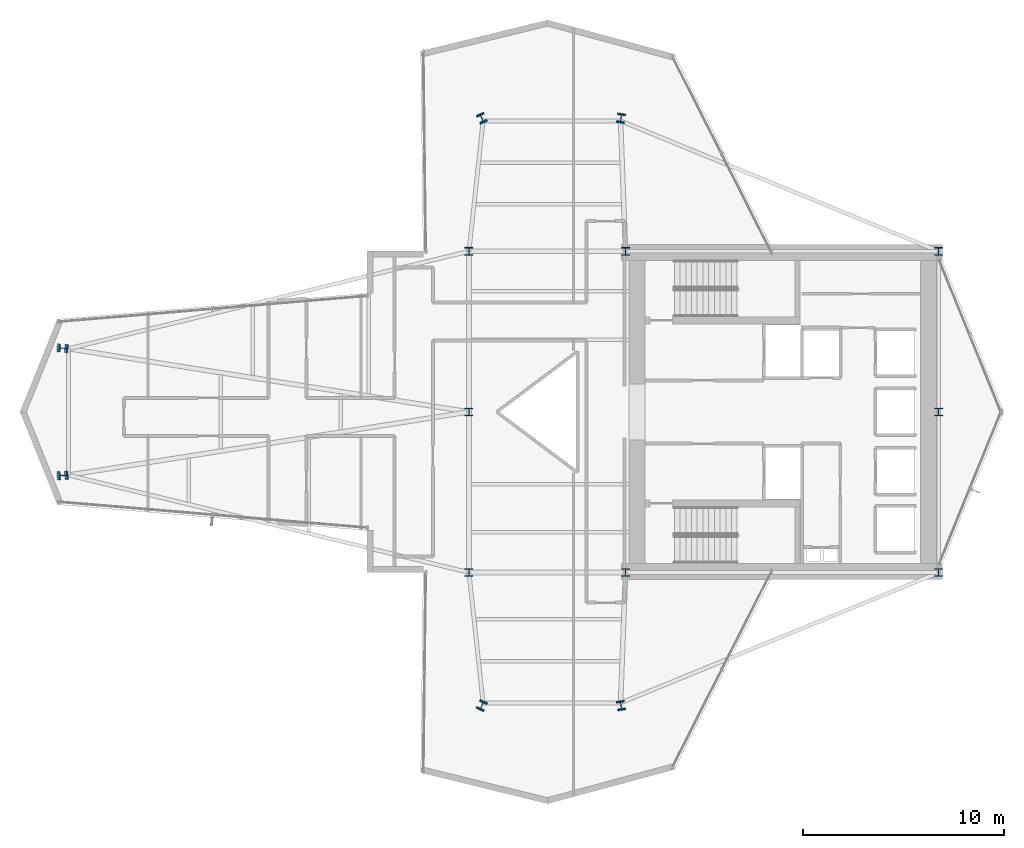
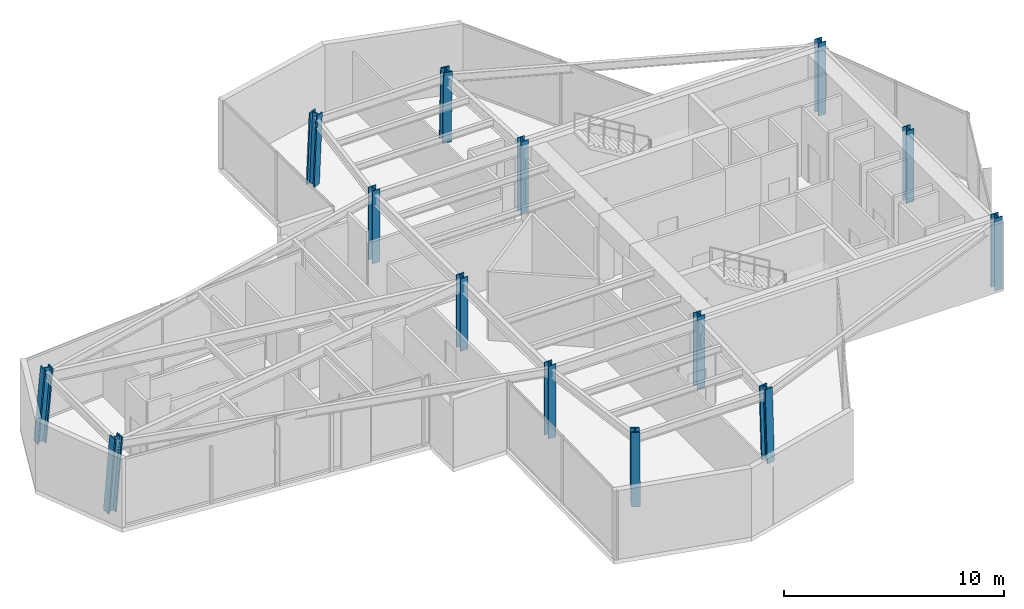
# One storey, part 1 of 25: 14 columns.
"""IFC4 building model written with IfcOpenShell, lengths in metres."""

from ifc_helpers import new_model, si_unit, direction, frame, origin, origin_2d, place, context, subcontext, project, spatial, i_section, extrude, material, material_profile, profile_set, type_object, element, save


model = new_model("IFC4")

# Units and contexts
model_context = context("Model", 3, precision=1e-05, world=origin(), true_north=direction((0.0, 1.0)))
body_context = subcontext(model_context, "Body", "Model", "MODEL_VIEW")
ifc_project = project(units=[si_unit("LENGTHUNIT", "METRE"), si_unit("AREAUNIT", "SQUARE_METRE"), si_unit("VOLUMEUNIT", "CUBIC_METRE"), si_unit("PLANEANGLEUNIT", "RADIAN"), si_unit("MASSUNIT", "GRAM", prefix="KILO")], contexts=[model_context])

# Site, building, storey
site_placement = place(None, origin())
site = spatial("IfcSite", under=ifc_project, at=site_placement, CompositionType="ELEMENT")
building_placement = place(site_placement, origin())
building = spatial("IfcBuilding", under=site, at=building_placement, Name="Veymaron Broadcast Tower", CompositionType="ELEMENT")
storey_placement = place(building_placement, frame((0.0, 0.0, 137.10009765625)))
storey = spatial("IfcBuildingStorey", under=building, at=storey_placement, Name="L31", CompositionType="ELEMENT", Elevation=137.10009765625)

# Columns
ifc_material_1 = material(Name="Structural steel ASTM A992 Gr 50", Category="steel")
ifc_material_profile_1 = material_profile(ifc_material_1, i_section(OverallWidth=0.39794921875, OverallDepth=0.386962890625, WebThickness=0.02099609375, FlangeThickness=0.033203125, at=origin_2d()), Name="W360X262")
ifc_profile_set_1 = profile_set([ifc_material_profile_1], Name="Structural steel ASTM A992 Gr 50")
column_type_1 = type_object("IfcColumnType", Name="COL-HC2", PredefinedType="COLUMN", material=ifc_profile_set_1)
for number, where, z_axis, x_axis, name in (
    (1, (31.199951171875, 16.0, 0.0), (0.0, 0.0, 1.0), (1.0, 0.0, 0.0), "L31 structural hub and core column"),
    (2, (31.199951171875, 24.0, 0.0), (0.0, 0.0, 1.0), (1.0, 0.0, 0.0), "L31 structural hub and core column"),
    (3, (31.199951171875, 32.0, 0.0), (0.0, 0.0, 1.0), (1.0, 0.0, 0.0), "L31 structural hub and core column"),
    (4, (39.0, 16.0, 0.0), (0.0, 0.0, 1.0), (1.0, 0.0, 0.0), "L31 structural hub and core column"),
    (5, (39.0, 32.0, 0.0), (0.0, 0.0, 1.0), (1.0, 0.0, 0.0), "L31 structural hub and core column"),
    (6, (54.60009765625, 16.0, 0.0), (0.0, 0.0, 1.0), (1.0, 0.0, 0.0), "L31 structural hub and core column"),
    (7, (54.60009765625, 24.0, 0.0), (0.0, 0.0, 1.0), (1.0, 0.0, 0.0), "L31 structural hub and core column"),
    (8, (54.60009765625, 32.0, 0.0), (0.0, 0.0, 1.0), (1.0, 0.0, 0.0), "L31 structural hub and core column"),
):
    element("IfcColumn", number, at=place(storey_placement, frame(where, z_axis=z_axis, x_axis=x_axis)), inside=storey, type_object=column_type_1, Name=name, PredefinedType="COLUMN", context=body_context, shape_type="SweptSolid", body=[
        extrude(i_section(OverallWidth=0.39794921875, OverallDepth=0.386962890625, WebThickness=0.02099609375, FlangeThickness=0.033203125, at=origin_2d()), origin(), (0.0, 0.0, 1.0), 4.0439453125),
    ])
ifc_material_2 = material(Name="Structural steel ASTM A913 Gr 65", Category="steel")
ifc_material_profile_2 = material_profile(ifc_material_2, i_section(OverallWidth=0.41796875, OverallDepth=0.455078125, WebThickness=0.0419921875, FlangeThickness=0.067626953125, at=origin_2d()), Name="W360X551")
ifc_profile_set_2 = profile_set([ifc_material_profile_2], Name="Structural steel ASTM A913 Gr 65")
column_type_2 = type_object("IfcColumnType", Name="COL-MC2", PredefinedType="COLUMN", material=ifc_profile_set_2)
for number, where, z_axis, x_axis, name in (
    (9, (10.905029296875, 20.824951171875, 0.015869140625), (0.0855385581, 0.006235294752, 0.996315349765), (-0.072701652196, 0.997353733521, 0.0), "L31 Tapered Wing Mega Column"),
    (10, (10.905029296875, 27.175048828125, 0.015869140625), (0.0855385581, -0.006235294752, 0.996315349765), (0.072701652196, 0.997353733521, 0.0), "L31 Tapered Wing Mega Column"),
):
    element("IfcColumn", number, at=place(storey_placement, frame(where, z_axis=z_axis, x_axis=x_axis)), inside=storey, type_object=column_type_2, Name=name, PredefinedType="COLUMN", context=body_context, shape_type="SweptSolid", body=[
        extrude(i_section(OverallWidth=0.41796875, OverallDepth=0.455078125, WebThickness=0.0419921875, FlangeThickness=0.067626953125, at=origin_2d()), origin(), (0.0, 0.0, 1.0), 4.032958984375),
    ])
column_1_placement = place(storey_placement, frame((31.830078125, 38.64990234375, 0.015869140625), z_axis=(0.017362868762, -0.037275529441, 0.999154175137), x_axis=(0.906484647, 0.422238776941, 0.0)))
element("IfcColumn", 11, at=column_1_placement, inside=storey, type_object=column_type_2, Name="L31 Tapered Wing Mega Column", PredefinedType="COLUMN", context=body_context, shape_type="SweptSolid", body=[
    extrude(i_section(OverallWidth=0.41796875, OverallDepth=0.455078125, WebThickness=0.0419921875, FlangeThickness=0.067626953125, at=origin_2d()), origin(), (0.0, 0.0, 1.0), 4.021484375),
])
column_2_placement = place(storey_placement, frame((38.77490234375, 38.64990234375, 0.015869140625), z_axis=(-0.006193166635, -0.037280434452, 0.9992856518), x_axis=(0.986480631929, -0.163877889995, 0.0)))
element("IfcColumn", 12, at=column_2_placement, inside=storey, type_object=column_type_2, Name="L31 Tapered Wing Mega Column", PredefinedType="COLUMN", context=body_context, shape_type="SweptSolid", body=[
    extrude(i_section(OverallWidth=0.41796875, OverallDepth=0.455078125, WebThickness=0.0419921875, FlangeThickness=0.067626953125, at=origin_2d()), origin(), (0.0, 0.0, 1.0), 4.02099609375),
])
column_3_placement = place(storey_placement, frame((31.830078125, 9.35009765625, 0.015869140625), z_axis=(0.017362868762, 0.037275529441, 0.999154175137), x_axis=(-0.906484647, 0.422238776941, 0.0)))
element("IfcColumn", 13, at=column_3_placement, inside=storey, type_object=column_type_2, Name="L31 Tapered Wing Mega Column", PredefinedType="COLUMN", context=body_context, shape_type="SweptSolid", body=[
    extrude(i_section(OverallWidth=0.41796875, OverallDepth=0.455078125, WebThickness=0.0419921875, FlangeThickness=0.067626953125, at=origin_2d()), origin(), (0.0, 0.0, 1.0), 4.021484375),
])
column_4_placement = place(storey_placement, frame((38.77490234375, 9.35009765625, 0.015869140625), z_axis=(-0.006193166635, 0.037280434452, 0.9992856518), x_axis=(-0.986480631929, -0.163877889995, 0.0)))
element("IfcColumn", 14, at=column_4_placement, inside=storey, type_object=column_type_2, Name="L31 Tapered Wing Mega Column", PredefinedType="COLUMN", context=body_context, shape_type="SweptSolid", body=[
    extrude(i_section(OverallWidth=0.41796875, OverallDepth=0.455078125, WebThickness=0.0419921875, FlangeThickness=0.067626953125, at=origin_2d()), origin(), (0.0, 0.0, 1.0), 4.02099609375),
])

save(model, "model.ifc")
